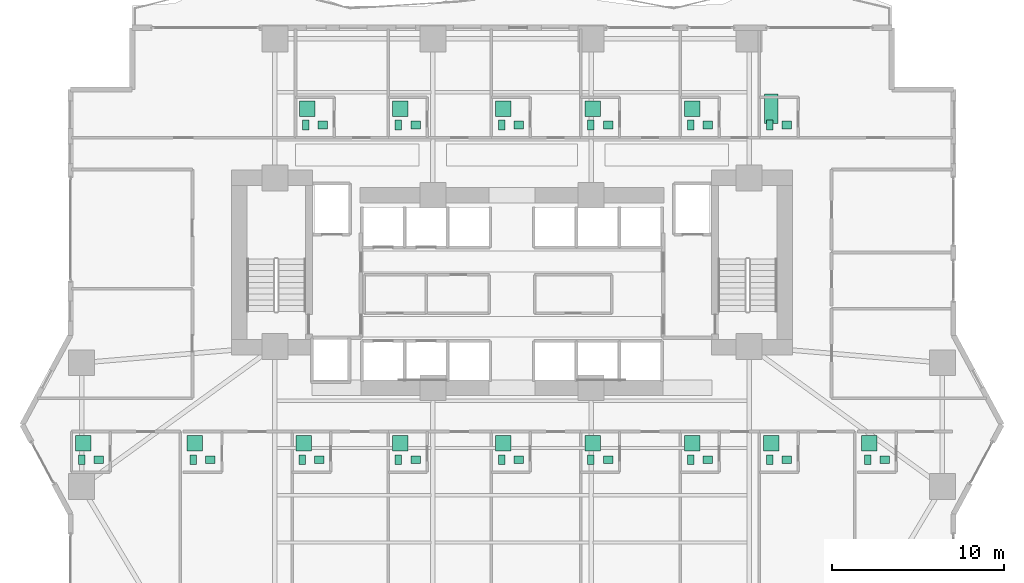
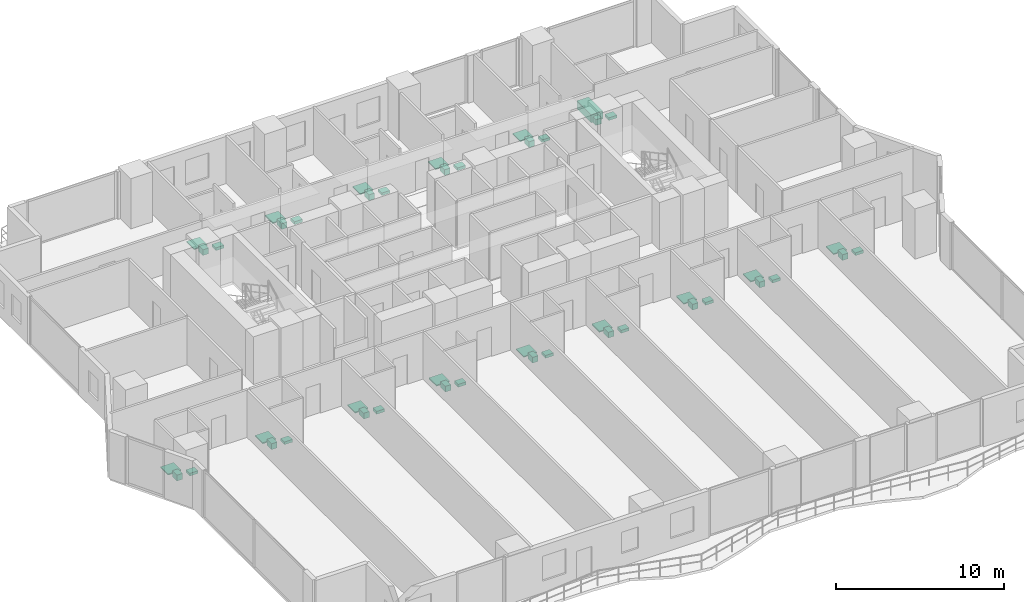
# One storey, part 28 of 28: 45 sanitary terminals.
"""IFC4 building model written with IfcOpenShell, lengths in metres."""

from ifc_helpers import new_model, si_unit, direction, frame, origin, origin_2d, place, context, subcontext, project, spatial, rectangle, extrude, material, type_object, element, save


model = new_model("IFC4")

# Units and contexts
model_context = context("Model", 3, precision=1e-05, world=origin(), true_north=direction((0.0, 1.0)))
body_context = subcontext(model_context, "Body", "Model", "MODEL_VIEW")
ifc_project = project(units=[si_unit("LENGTHUNIT", "METRE"), si_unit("AREAUNIT", "SQUARE_METRE"), si_unit("VOLUMEUNIT", "CUBIC_METRE"), si_unit("PLANEANGLEUNIT", "RADIAN"), si_unit("MASSUNIT", "GRAM", prefix="KILO")], contexts=[model_context])

# Site, building, storey
site_placement = place(None, origin())
site = spatial("IfcSite", under=ifc_project, at=site_placement, CompositionType="ELEMENT")
building_placement = place(site_placement, origin())
building = spatial("IfcBuilding", under=site, at=building_placement, Name="Zuhayl Quay Hotel", CompositionType="ELEMENT")
storey_placement = place(building_placement, frame((0.0, 0.0, 34.89990234375)))
storey = spatial("IfcBuildingStorey", under=building, at=storey_placement, Name="L07", CompositionType="ELEMENT", Elevation=34.89990234375)

# Sanitary terminals
ifc_material = material(Name="Vitreous Porcelain Sanitaryware")
sanitary_terminal_type_1 = type_object("IfcSanitaryTerminalType", Name="SAN_BASIN", PredefinedType="WASHHANDBASIN", material=ifc_material)
for number, where, z_axis, x_axis, name in (
    (1, (-11.010009765625, 17.43994140625, 0.0), (0.0, 0.0, 1.0), (1.0, 0.0, 0.0), "L07 Sanitary Fixture WASHHANDBASIN"),
    (2, (-5.610107421875, 17.43994140625, 0.0), (0.0, 0.0, 1.0), (1.0, 0.0, 0.0), "L07 Sanitary Fixture WASHHANDBASIN"),
    (3, (0.389892578125, 17.43994140625, 0.0), (0.0, 0.0, 1.0), (1.0, 0.0, 0.0), "L07 Sanitary Fixture WASHHANDBASIN"),
    (4, (5.590087890625, 17.43994140625, 0.0), (0.0, 0.0, 1.0), (1.0, 0.0, 0.0), "L07 Sanitary Fixture WASHHANDBASIN"),
    (5, (11.389892578125, 17.43994140625, 0.0), (0.0, 0.0, 1.0), (1.0, 0.0, 0.0), "L07 Sanitary Fixture WASHHANDBASIN"),
    (6, (15.989990234375, 17.43994140625, 0.0), (0.0, 0.0, 1.0), (1.0, 0.0, 0.0), "L07 Sanitary Fixture WASHHANDBASIN"),
    (7, (-24.050048828125, -2.0400390625, 0.0), (0.0, 0.0, 1.0), (1.0, 0.0, 0.0), "L07 Sanitary Fixture WASHHANDBASIN"),
    (8, (-17.550048828125, -2.0400390625, 0.0), (0.0, 0.0, 1.0), (1.0, 0.0, 0.0), "L07 Sanitary Fixture WASHHANDBASIN"),
    (9, (-11.2099609375, -2.0400390625, 0.0), (0.0, 0.0, 1.0), (1.0, 0.0, 0.0), "L07 Sanitary Fixture WASHHANDBASIN"),
    (10, (-5.610107421875, -2.0400390625, 0.0), (0.0, 0.0, 1.0), (1.0, 0.0, 0.0), "L07 Sanitary Fixture WASHHANDBASIN"),
    (11, (0.389892578125, -2.0400390625, 0.0), (0.0, 0.0, 1.0), (1.0, 0.0, 0.0), "L07 Sanitary Fixture WASHHANDBASIN"),
    (12, (5.590087890625, -2.0400390625, 0.0), (0.0, 0.0, 1.0), (1.0, 0.0, 0.0), "L07 Sanitary Fixture WASHHANDBASIN"),
    (13, (11.389892578125, -2.0400390625, 0.0), (0.0, 0.0, 1.0), (1.0, 0.0, 0.0), "L07 Sanitary Fixture WASHHANDBASIN"),
    (14, (15.989990234375, -2.0400390625, 0.0), (0.0, 0.0, 1.0), (1.0, 0.0, 0.0), "L07 Sanitary Fixture WASHHANDBASIN"),
    (15, (21.68994140625, -2.0400390625, 0.0), (0.0, 0.0, 1.0), (1.0, 0.0, 0.0), "L07 Sanitary Fixture WASHHANDBASIN"),
):
    element("IfcSanitaryTerminal", number, at=place(storey_placement, frame(where, z_axis=z_axis, x_axis=x_axis)), inside=storey, type_object=sanitary_terminal_type_1, Name=name, PredefinedType="WASHHANDBASIN", context=body_context, shape_type="SweptSolid", body=[
        extrude(rectangle(XDim=0.550048828125, YDim=0.449951171875, at=origin_2d()), origin(), (0.0, 0.0, 1.0), 0.199951171875),
    ])
sanitary_terminal_type_2 = type_object("IfcSanitaryTerminalType", Name="SAN_BATH", PredefinedType="BATH", material=ifc_material)
sanitary_terminal_placement = place(storey_placement, frame((15.090087890625, 18.389892578125, 0.0), z_axis=(0.0, 0.0, 1.0), x_axis=(1.0, 0.0, 0.0)))
element("IfcSanitaryTerminal", 16, at=sanitary_terminal_placement, inside=storey, type_object=sanitary_terminal_type_2, Name="L07 Sanitary Fixture BATH", PredefinedType="BATH", context=body_context, shape_type="SweptSolid", body=[
    extrude(rectangle(XDim=0.800048828125, YDim=1.699951171875, at=origin_2d()), origin(), (0.0, 0.0, 1.0), 0.580078125),
])
sanitary_terminal_type_3 = type_object("IfcSanitaryTerminalType", Name="SAN_SHOWER", PredefinedType="SHOWER", material=ifc_material)
for number, where, z_axis, x_axis, name in (
    (17, (-11.909912109375, 18.389892578125, 0.0), (0.0, 0.0, 1.0), (1.0, 0.0, 0.0), "L07 Sanitary Fixture SHOWER"),
    (18, (-6.510009765625, 18.389892578125, 0.0), (0.0, 0.0, 1.0), (1.0, 0.0, 0.0), "L07 Sanitary Fixture SHOWER"),
    (19, (-0.510009765625, 18.389892578125, 0.0), (0.0, 0.0, 1.0), (1.0, 0.0, 0.0), "L07 Sanitary Fixture SHOWER"),
    (20, (4.68994140625, 18.389892578125, 0.0), (0.0, 0.0, 1.0), (1.0, 0.0, 0.0), "L07 Sanitary Fixture SHOWER"),
    (21, (10.489990234375, 18.389892578125, 0.0), (0.0, 0.0, 1.0), (1.0, 0.0, 0.0), "L07 Sanitary Fixture SHOWER"),
    (22, (-24.949951171875, -1.090087890625, 0.0), (0.0, 0.0, 1.0), (1.0, 0.0, 0.0), "L07 Sanitary Fixture SHOWER"),
    (23, (-18.449951171875, -1.090087890625, 0.0), (0.0, 0.0, 1.0), (1.0, 0.0, 0.0), "L07 Sanitary Fixture SHOWER"),
    (24, (-12.110107421875, -1.090087890625, 0.0), (0.0, 0.0, 1.0), (1.0, 0.0, 0.0), "L07 Sanitary Fixture SHOWER"),
    (25, (-6.510009765625, -1.090087890625, 0.0), (0.0, 0.0, 1.0), (1.0, 0.0, 0.0), "L07 Sanitary Fixture SHOWER"),
    (26, (-0.510009765625, -1.090087890625, 0.0), (0.0, 0.0, 1.0), (1.0, 0.0, 0.0), "L07 Sanitary Fixture SHOWER"),
    (27, (4.68994140625, -1.090087890625, 0.0), (0.0, 0.0, 1.0), (1.0, 0.0, 0.0), "L07 Sanitary Fixture SHOWER"),
    (28, (10.489990234375, -1.090087890625, 0.0), (0.0, 0.0, 1.0), (1.0, 0.0, 0.0), "L07 Sanitary Fixture SHOWER"),
    (29, (15.090087890625, -1.090087890625, 0.0), (0.0, 0.0, 1.0), (1.0, 0.0, 0.0), "L07 Sanitary Fixture SHOWER"),
    (30, (20.7900390625, -1.090087890625, 0.0), (0.0, 0.0, 1.0), (1.0, 0.0, 0.0), "L07 Sanitary Fixture SHOWER"),
):
    element("IfcSanitaryTerminal", number, at=place(storey_placement, frame(where, z_axis=z_axis, x_axis=x_axis)), inside=storey, type_object=sanitary_terminal_type_3, Name=name, PredefinedType="SHOWER", context=body_context, shape_type="SweptSolid", body=[
        extrude(rectangle(XDim=0.89990234375, YDim=0.89990234375, at=origin_2d()), origin(), (0.0, 0.0, 1.0), 0.080078125),
    ])
sanitary_terminal_type_4 = type_object("IfcSanitaryTerminalType", Name="SAN_WC", PredefinedType="TOILETPAN", material=ifc_material)
for number, where, z_axis, x_axis, name in (
    (31, (-12.010009765625, 17.43994140625, 0.000244140625), (0.0, 0.0, 1.0), (1.0, 0.0, 0.0), "L07 Sanitary Fixture TOILETPAN"),
    (32, (-6.610107421875, 17.43994140625, 0.000244140625), (0.0, 0.0, 1.0), (1.0, 0.0, 0.0), "L07 Sanitary Fixture TOILETPAN"),
    (33, (-0.610107421875, 17.43994140625, 0.000244140625), (0.0, 0.0, 1.0), (1.0, 0.0, 0.0), "L07 Sanitary Fixture TOILETPAN"),
    (34, (4.590087890625, 17.43994140625, 0.000244140625), (0.0, 0.0, 1.0), (1.0, 0.0, 0.0), "L07 Sanitary Fixture TOILETPAN"),
    (35, (10.389892578125, 17.43994140625, 0.000244140625), (0.0, 0.0, 1.0), (1.0, 0.0, 0.0), "L07 Sanitary Fixture TOILETPAN"),
    (36, (14.989990234375, 17.43994140625, 0.000244140625), (0.0, 0.0, 1.0), (1.0, 0.0, 0.0), "L07 Sanitary Fixture TOILETPAN"),
    (37, (-25.050048828125, -2.0400390625, 0.000244140625), (0.0, 0.0, 1.0), (1.0, 0.0, 0.0), "L07 Sanitary Fixture TOILETPAN"),
    (38, (-18.550048828125, -2.0400390625, 0.000244140625), (0.0, 0.0, 1.0), (1.0, 0.0, 0.0), "L07 Sanitary Fixture TOILETPAN"),
    (39, (-12.2099609375, -2.0400390625, 0.000244140625), (0.0, 0.0, 1.0), (1.0, 0.0, 0.0), "L07 Sanitary Fixture TOILETPAN"),
    (40, (-6.610107421875, -2.0400390625, 0.000244140625), (0.0, 0.0, 1.0), (1.0, 0.0, 0.0), "L07 Sanitary Fixture TOILETPAN"),
    (41, (-0.610107421875, -2.0400390625, 0.000244140625), (0.0, 0.0, 1.0), (1.0, 0.0, 0.0), "L07 Sanitary Fixture TOILETPAN"),
    (42, (4.590087890625, -2.0400390625, 0.000244140625), (0.0, 0.0, 1.0), (1.0, 0.0, 0.0), "L07 Sanitary Fixture TOILETPAN"),
    (43, (10.389892578125, -2.0400390625, 0.000244140625), (0.0, 0.0, 1.0), (1.0, 0.0, 0.0), "L07 Sanitary Fixture TOILETPAN"),
    (44, (14.989990234375, -2.0400390625, 0.000244140625), (0.0, 0.0, 1.0), (1.0, 0.0, 0.0), "L07 Sanitary Fixture TOILETPAN"),
    (45, (20.68994140625, -2.0400390625, 0.000244140625), (0.0, 0.0, 1.0), (1.0, 0.0, 0.0), "L07 Sanitary Fixture TOILETPAN"),
):
    element("IfcSanitaryTerminal", number, at=place(storey_placement, frame(where, z_axis=z_axis, x_axis=x_axis)), inside=storey, type_object=sanitary_terminal_type_4, Name=name, PredefinedType="TOILETPAN", context=body_context, shape_type="SweptSolid", body=[
        extrude(rectangle(XDim=0.3798828125, YDim=0.56005859375, at=origin_2d()), origin(), (0.0, 0.0, 1.0), 0.419921875),
    ])

save(model, "model.ifc")
